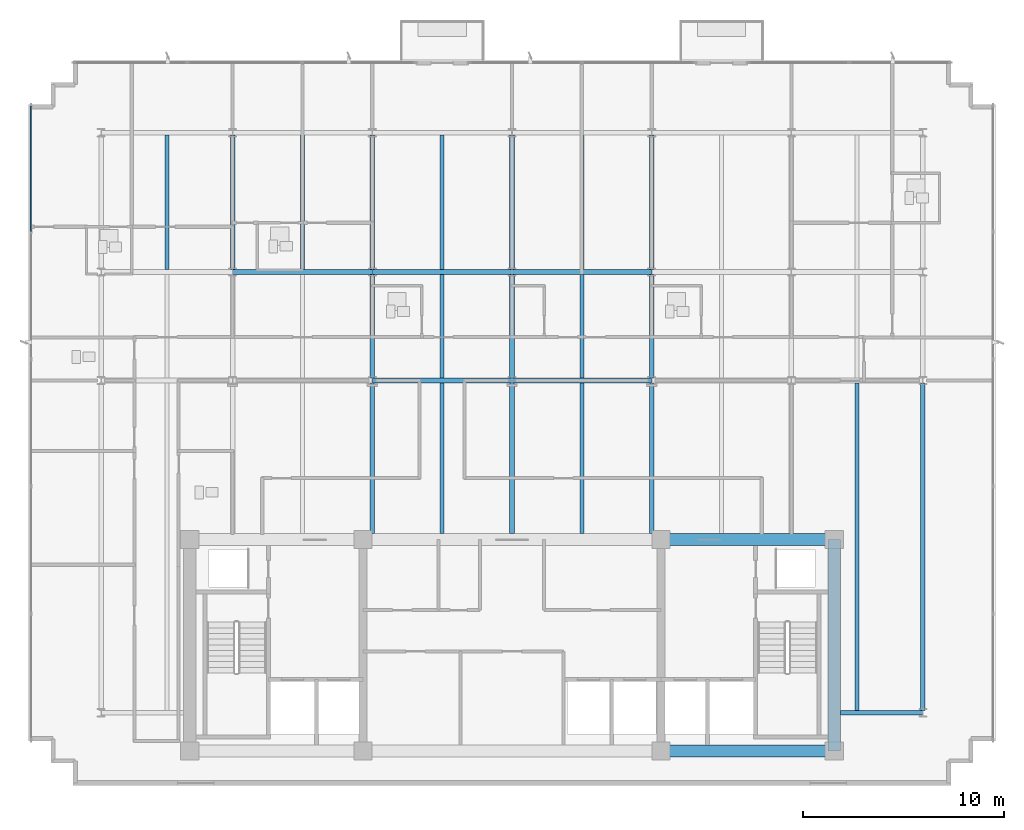
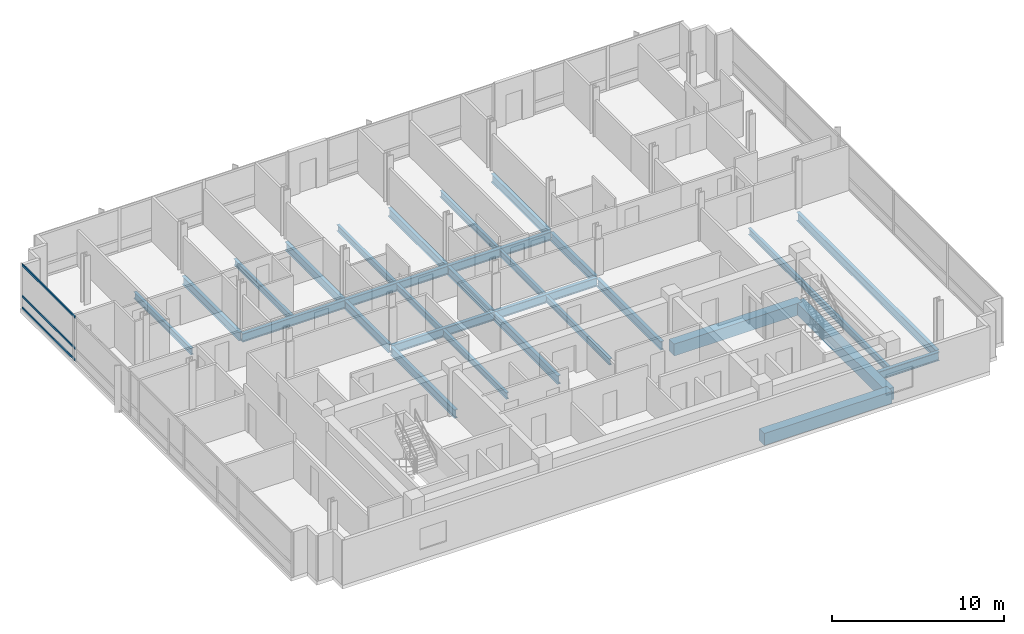
# One storey, part 3 of 14: 29 beams, 3 members, 1 element without a shape of its own.
"""IFC4 building model written with IfcOpenShell, lengths in metres."""

from ifc_helpers import new_model, si_unit, direction, frame, origin, origin_2d, place, context, subcontext, project, spatial, rectangle, i_section, extrude, material, material_profile, profile_set, type_object, element, aggregate, save


model = new_model("IFC4")

# Units and contexts
model_context = context("Model", 3, precision=1e-05, world=origin(), true_north=direction((0.0, 1.0)))
body_context = subcontext(model_context, "Body", "Model", "MODEL_VIEW")
ifc_project = project(units=[si_unit("LENGTHUNIT", "METRE"), si_unit("AREAUNIT", "SQUARE_METRE"), si_unit("VOLUMEUNIT", "CUBIC_METRE"), si_unit("PLANEANGLEUNIT", "RADIAN"), si_unit("MASSUNIT", "GRAM", prefix="KILO")], contexts=[model_context])

# Site, building, storey
site_placement = place(None, origin())
site = spatial("IfcSite", under=ifc_project, at=site_placement, CompositionType="ELEMENT")
building_placement = place(site_placement, origin())
building = spatial("IfcBuilding", under=site, at=building_placement, Name="Solmavex Isthmus Hotel", CompositionType="ELEMENT")
storey_placement = place(building_placement, frame((0.0, 0.0, 248.85009765625)))
storey = spatial("IfcBuildingStorey", under=building, at=storey_placement, Name="L67", CompositionType="ELEMENT", Elevation=248.85009765625)

# Beams
ifc_material_1 = material(Name="Steel ASTM A992 Grade 50", Category="steel")
ifc_material_profile_1 = material_profile(ifc_material_1, i_section(OverallWidth=0.1904296875, OverallDepth=0.456787109375, WebThickness=0.009033203125, FlangeThickness=0.014404296875, FilletRadius=0.0126953125, at=origin_2d()), Name="W18X50")
ifc_profile_set_1 = profile_set([ifc_material_profile_1], Name="Steel ASTM A992 Grade 50")
beam_type_1 = type_object("IfcBeamType", Name="BM-BJ-W18X50", PredefinedType="JOIST", material=ifc_profile_set_1)
for number, where, z_axis, x_axis, name in (
    (1, (-17.135986328125, 10.90185546875, -0.488525390625), (0.0, 1.0, 0.0), (-1.0, 0.0, 0.0), "Secondary Floor Joist L67-J03"),
    (2, (-10.404052734375, 10.90185546875, -0.488525390625), (0.0, 1.0, 0.0), (-1.0, 0.0, 0.0), "Secondary Floor Joist L67-J06"),
):
    element("IfcBeam", number, at=place(storey_placement, frame(where, z_axis=z_axis, x_axis=x_axis)), inside=storey, type_object=beam_type_1, Name=name, PredefinedType="JOIST", context=body_context, shape_type="SweptSolid", body=[
        extrude(i_section(OverallWidth=0.1904296875, OverallDepth=0.456787109375, WebThickness=0.009033203125, FlangeThickness=0.014404296875, FilletRadius=0.0126953125, at=origin_2d()), origin(), (0.0, 0.0, 1.0), 6.682861328125),
    ])
beam_1_placement = place(storey_placement, frame((-3.468017578125, -2.199951171875, -0.488525390625), z_axis=(0.0, 1.0, 0.0), x_axis=(-1.0, 0.0, 0.0)))
element("IfcBeam", 3, at=beam_1_placement, inside=storey, type_object=beam_type_1, Name="Secondary Floor Joist L67-J07", PredefinedType="JOIST", context=body_context, shape_type="SweptSolid", body=[
    extrude(i_section(OverallWidth=0.1904296875, OverallDepth=0.456787109375, WebThickness=0.009033203125, FlangeThickness=0.014404296875, FilletRadius=0.0126953125, at=origin_2d()), origin(), (0.0, 0.0, 1.0), 7.486083984375),
])
beam_2_placement = place(storey_placement, frame((-3.468017578125, 5.513916015625, -0.488525390625), z_axis=(0.0, 1.0, 0.0), x_axis=(-1.0, 0.0, 0.0)))
element("IfcBeam", 4, at=beam_2_placement, inside=storey, type_object=beam_type_1, Name="Secondary Floor Joist L67-J08", PredefinedType="JOIST", context=body_context, shape_type="SweptSolid", body=[
    extrude(i_section(OverallWidth=0.1904296875, OverallDepth=0.456787109375, WebThickness=0.009033203125, FlangeThickness=0.014404296875, FilletRadius=0.0126953125, at=origin_2d()), origin(), (0.0, 0.0, 1.0), 5.16015625),
])
beam_3_placement = place(storey_placement, frame((-3.468017578125, 10.90185546875, -0.488525390625), z_axis=(0.0, 1.0, 0.0), x_axis=(-1.0, 0.0, 0.0)))
element("IfcBeam", 5, at=beam_3_placement, inside=storey, type_object=beam_type_1, Name="Secondary Floor Joist L67-J09", PredefinedType="JOIST", context=body_context, shape_type="SweptSolid", body=[
    extrude(i_section(OverallWidth=0.1904296875, OverallDepth=0.456787109375, WebThickness=0.009033203125, FlangeThickness=0.014404296875, FilletRadius=0.0126953125, at=origin_2d()), origin(), (0.0, 0.0, 1.0), 6.682861328125),
])
beam_4_placement = place(storey_placement, frame((3.468017578125, -2.199951171875, -0.488525390625), z_axis=(0.0, 1.0, 0.0), x_axis=(-1.0, 0.0, 0.0)))
element("IfcBeam", 6, at=beam_4_placement, inside=storey, type_object=beam_type_1, Name="Secondary Floor Joist L67-J10", PredefinedType="JOIST", context=body_context, shape_type="SweptSolid", body=[
    extrude(i_section(OverallWidth=0.1904296875, OverallDepth=0.456787109375, WebThickness=0.009033203125, FlangeThickness=0.014404296875, FilletRadius=0.0126953125, at=origin_2d()), origin(), (0.0, 0.0, 1.0), 7.486083984375),
])
beam_5_placement = place(storey_placement, frame((3.468017578125, 5.513916015625, -0.488525390625), z_axis=(0.0, 1.0, 0.0), x_axis=(-1.0, 0.0, 0.0)))
element("IfcBeam", 7, at=beam_5_placement, inside=storey, type_object=beam_type_1, Name="Secondary Floor Joist L67-J11", PredefinedType="JOIST", context=body_context, shape_type="SweptSolid", body=[
    extrude(i_section(OverallWidth=0.1904296875, OverallDepth=0.456787109375, WebThickness=0.009033203125, FlangeThickness=0.014404296875, FilletRadius=0.0126953125, at=origin_2d()), origin(), (0.0, 0.0, 1.0), 5.16015625),
])
beam_6_placement = place(storey_placement, frame((3.468017578125, 10.90185546875, -0.488525390625), z_axis=(0.0, 1.0, 0.0), x_axis=(-1.0, 0.0, 0.0)))
element("IfcBeam", 8, at=beam_6_placement, inside=storey, type_object=beam_type_1, Name="Secondary Floor Joist L67-J12", PredefinedType="JOIST", context=body_context, shape_type="SweptSolid", body=[
    extrude(i_section(OverallWidth=0.1904296875, OverallDepth=0.456787109375, WebThickness=0.009033203125, FlangeThickness=0.014404296875, FilletRadius=0.0126953125, at=origin_2d()), origin(), (0.0, 0.0, 1.0), 6.682861328125),
])
beam_7_placement = place(storey_placement, frame((17.135986328125, -10.98486328125, -0.488525390625), z_axis=(0.0, 1.0, 0.0), x_axis=(-1.0, 0.0, 0.0)))
element("IfcBeam", 9, at=beam_7_placement, inside=storey, type_object=beam_type_1, Name="Secondary Floor Joist L67-J16", PredefinedType="JOIST", context=body_context, shape_type="SweptSolid", body=[
    extrude(i_section(OverallWidth=0.1904296875, OverallDepth=0.456787109375, WebThickness=0.009033203125, FlangeThickness=0.014404296875, FilletRadius=0.0126953125, at=origin_2d()), origin(), (0.0, 0.0, 1.0), 16.27099609375),
])
ifc_material_profile_2 = material_profile(ifc_material_1, i_section(OverallWidth=0.227783203125, OverallDepth=0.602783203125, WebThickness=0.010498046875, FlangeThickness=0.014892578125, FilletRadius=0.01513671875, at=origin_2d()), Name="W24X68")
ifc_profile_set_2 = profile_set([ifc_material_profile_2], Name="Steel ASTM A992 Grade 50")
beam_type_2 = type_object("IfcBeamType", Name="BM-BM-W24X68", PredefinedType="BEAM", material=ifc_profile_set_2)
for number, where, z_axis, x_axis, name in (
    (10, (-6.93603515625, 5.39990234375, -0.5615234375), (1.0, 0.0, 0.0), (0.0, 1.0, 0.0), "Floor Girder L67-UG05"),
    (11, (0.0, 5.39990234375, -0.5615234375), (1.0, 0.0, 0.0), (0.0, 1.0, 0.0), "Floor Girder L67-UG06"),
    (12, (-13.8720703125, 10.7880859375, -0.5615234375), (1.0, 0.0, 0.0), (0.0, 1.0, 0.0), "Floor Girder L67-UG10"),
    (13, (-6.93603515625, 10.7880859375, -0.5615234375), (1.0, 0.0, 0.0), (0.0, 1.0, 0.0), "Floor Girder L67-UG11"),
    (14, (0.0, 10.7880859375, -0.5615234375), (1.0, 0.0, 0.0), (0.0, 1.0, 0.0), "Floor Girder L67-UG12"),
):
    element("IfcBeam", number, at=place(storey_placement, frame(where, z_axis=z_axis, x_axis=x_axis)), inside=storey, type_object=beam_type_2, Name=name, PredefinedType="BEAM", context=body_context, shape_type="SweptSolid", body=[
        extrude(i_section(OverallWidth=0.227783203125, OverallDepth=0.602783203125, WebThickness=0.010498046875, FlangeThickness=0.014892578125, FilletRadius=0.01513671875, at=origin_2d()), origin(), (0.0, 0.0, 1.0), 6.93603515625),
    ])
beam_8_placement = place(storey_placement, frame((-13.8720703125, 10.90185546875, -0.5615234375), z_axis=(0.0, 1.0, 0.0), x_axis=(-1.0, 0.0, 0.0)))
element("IfcBeam", 15, at=beam_8_placement, inside=storey, type_object=beam_type_2, Name="Floor Beam L67-VG26", PredefinedType="BEAM", context=body_context, shape_type="SweptSolid", body=[
    extrude(i_section(OverallWidth=0.227783203125, OverallDepth=0.602783203125, WebThickness=0.010498046875, FlangeThickness=0.014892578125, FilletRadius=0.01513671875, at=origin_2d()), origin(), (0.0, 0.0, 1.0), 6.682861328125),
])
beam_9_placement = place(storey_placement, frame((-6.93603515625, -2.199951171875, -0.5615234375), z_axis=(0.0, 1.0, 0.0), x_axis=(-1.0, 0.0, 0.0)))
element("IfcBeam", 16, at=beam_9_placement, inside=storey, type_object=beam_type_2, Name="Floor Beam L67-VG27", PredefinedType="BEAM", context=body_context, shape_type="SweptSolid", body=[
    extrude(i_section(OverallWidth=0.227783203125, OverallDepth=0.602783203125, WebThickness=0.010498046875, FlangeThickness=0.014892578125, FilletRadius=0.01513671875, at=origin_2d()), origin(), (0.0, 0.0, 1.0), 7.486083984375),
])
beam_10_placement = place(storey_placement, frame((-6.93603515625, 5.513916015625, -0.5615234375), z_axis=(0.0, 1.0, 0.0), x_axis=(-1.0, 0.0, 0.0)))
element("IfcBeam", 17, at=beam_10_placement, inside=storey, type_object=beam_type_2, Name="Floor Beam L67-VG28", PredefinedType="BEAM", context=body_context, shape_type="SweptSolid", body=[
    extrude(i_section(OverallWidth=0.227783203125, OverallDepth=0.602783203125, WebThickness=0.010498046875, FlangeThickness=0.014892578125, FilletRadius=0.01513671875, at=origin_2d()), origin(), (0.0, 0.0, 1.0), 5.16015625),
])
beam_11_placement = place(storey_placement, frame((-6.93603515625, 10.90185546875, -0.5615234375), z_axis=(0.0, 1.0, 0.0), x_axis=(-1.0, 0.0, 0.0)))
element("IfcBeam", 18, at=beam_11_placement, inside=storey, type_object=beam_type_2, Name="Floor Beam L67-VG29", PredefinedType="BEAM", context=body_context, shape_type="SweptSolid", body=[
    extrude(i_section(OverallWidth=0.227783203125, OverallDepth=0.602783203125, WebThickness=0.010498046875, FlangeThickness=0.014892578125, FilletRadius=0.01513671875, at=origin_2d()), origin(), (0.0, 0.0, 1.0), 6.682861328125),
])
beam_12_placement = place(storey_placement, frame((0.0, -2.199951171875, -0.5615234375), z_axis=(0.0, 1.0, 0.0), x_axis=(-1.0, 0.0, 0.0)))
element("IfcBeam", 19, at=beam_12_placement, inside=storey, type_object=beam_type_2, Name="Floor Beam L67-VG30", PredefinedType="BEAM", context=body_context, shape_type="SweptSolid", body=[
    extrude(i_section(OverallWidth=0.227783203125, OverallDepth=0.602783203125, WebThickness=0.010498046875, FlangeThickness=0.014892578125, FilletRadius=0.01513671875, at=origin_2d()), origin(), (0.0, 0.0, 1.0), 7.486083984375),
])
beam_13_placement = place(storey_placement, frame((0.0, 5.513916015625, -0.5615234375), z_axis=(0.0, 1.0, 0.0), x_axis=(-1.0, 0.0, 0.0)))
element("IfcBeam", 20, at=beam_13_placement, inside=storey, type_object=beam_type_2, Name="Floor Beam L67-VG31", PredefinedType="BEAM", context=body_context, shape_type="SweptSolid", body=[
    extrude(i_section(OverallWidth=0.227783203125, OverallDepth=0.602783203125, WebThickness=0.010498046875, FlangeThickness=0.014892578125, FilletRadius=0.01513671875, at=origin_2d()), origin(), (0.0, 0.0, 1.0), 5.16015625),
])
beam_14_placement = place(storey_placement, frame((0.0, 10.90185546875, -0.5615234375), z_axis=(0.0, 1.0, 0.0), x_axis=(-1.0, 0.0, 0.0)))
element("IfcBeam", 21, at=beam_14_placement, inside=storey, type_object=beam_type_2, Name="Floor Beam L67-VG32", PredefinedType="BEAM", context=body_context, shape_type="SweptSolid", body=[
    extrude(i_section(OverallWidth=0.227783203125, OverallDepth=0.602783203125, WebThickness=0.010498046875, FlangeThickness=0.014892578125, FilletRadius=0.01513671875, at=origin_2d()), origin(), (0.0, 0.0, 1.0), 6.682861328125),
])
beam_15_placement = place(storey_placement, frame((6.93603515625, -2.199951171875, -0.5615234375), z_axis=(0.0, 1.0, 0.0), x_axis=(-1.0, 0.0, 0.0)))
element("IfcBeam", 22, at=beam_15_placement, inside=storey, type_object=beam_type_2, Name="Floor Beam L67-VG33", PredefinedType="BEAM", context=body_context, shape_type="SweptSolid", body=[
    extrude(i_section(OverallWidth=0.227783203125, OverallDepth=0.602783203125, WebThickness=0.010498046875, FlangeThickness=0.014892578125, FilletRadius=0.01513671875, at=origin_2d()), origin(), (0.0, 0.0, 1.0), 7.486083984375),
])
beam_16_placement = place(storey_placement, frame((6.93603515625, 5.513916015625, -0.5615234375), z_axis=(0.0, 1.0, 0.0), x_axis=(-1.0, 0.0, 0.0)))
element("IfcBeam", 23, at=beam_16_placement, inside=storey, type_object=beam_type_2, Name="Floor Beam L67-VG34", PredefinedType="BEAM", context=body_context, shape_type="SweptSolid", body=[
    extrude(i_section(OverallWidth=0.227783203125, OverallDepth=0.602783203125, WebThickness=0.010498046875, FlangeThickness=0.014892578125, FilletRadius=0.01513671875, at=origin_2d()), origin(), (0.0, 0.0, 1.0), 5.16015625),
])
beam_17_placement = place(storey_placement, frame((6.93603515625, 10.90185546875, -0.5615234375), z_axis=(0.0, 1.0, 0.0), x_axis=(-1.0, 0.0, 0.0)))
element("IfcBeam", 24, at=beam_17_placement, inside=storey, type_object=beam_type_2, Name="Floor Beam L67-VG35", PredefinedType="BEAM", context=body_context, shape_type="SweptSolid", body=[
    extrude(i_section(OverallWidth=0.227783203125, OverallDepth=0.602783203125, WebThickness=0.010498046875, FlangeThickness=0.014892578125, FilletRadius=0.01513671875, at=origin_2d()), origin(), (0.0, 0.0, 1.0), 6.682861328125),
])
ifc_material_2 = material(Name="Concrete C50/60", Category="concrete")
ifc_material_profile_3 = material_profile(ifc_material_2, rectangle(XDim=0.60009765625, YDim=0.85009765625, at=origin_2d()), Name="RC600X850")
ifc_profile_set_3 = profile_set([ifc_material_profile_3], Name="Concrete C50/60")
beam_type_3 = type_object("IfcBeamType", Name="BM-CB-600X850", PredefinedType="BEAM", material=ifc_profile_set_3)
for number, where, z_axis, x_axis, name in (
    (25, (7.39990234375, -13.0, -0.68505859375), (1.0, 0.0, 0.0), (0.0, 1.0, 0.0), "Core Coupling Beam L67-CB3"),
    (26, (7.39990234375, -2.5, -0.68505859375), (1.0, 0.0, 0.0), (0.0, 1.0, 0.0), "Core Coupling Beam L67-CB6"),
):
    element("IfcBeam", number, at=place(storey_placement, frame(where, z_axis=z_axis, x_axis=x_axis)), inside=storey, type_object=beam_type_3, Name=name, PredefinedType="BEAM", context=body_context, shape_type="SweptSolid", body=[
        extrude(rectangle(XDim=0.60009765625, YDim=0.85009765625, at=origin_2d()), origin(), (0.0, 0.0, 1.0), 8.60009765625),
    ])
beam_18_placement = place(storey_placement, frame((16.0, -13.0, -0.68505859375), z_axis=(0.0, 1.0, 0.0), x_axis=(-1.0, 0.0, 0.0)))
element("IfcBeam", 27, at=beam_18_placement, inside=storey, type_object=beam_type_3, Name="Core Coupling Beam L67-CB8", PredefinedType="BEAM", context=body_context, shape_type="SweptSolid", body=[
    extrude(rectangle(XDim=0.60009765625, YDim=0.85009765625, at=origin_2d()), origin(), (0.0, 0.0, 1.0), 10.5),
])
ifc_material_profile_4 = material_profile(ifc_material_1, i_section(OverallWidth=0.230224609375, OverallDepth=0.617431640625, WebThickness=0.01318359375, FlangeThickness=0.022216796875, FilletRadius=0.01513671875, at=origin_2d()), Name="W24X94")
ifc_profile_set_4 = profile_set([ifc_material_profile_4], Name="Steel ASTM A992 Grade 50")
beam_type_4 = type_object("IfcBeamType", Name="BM-SP-W24X94", PredefinedType="SPANDREL", material=ifc_profile_set_4)
beam_19_placement = place(storey_placement, frame((16.300048828125, -11.10009765625, -0.56884765625), z_axis=(1.0, 0.0, 0.0), x_axis=(0.0, 1.0, 0.0)))
element("IfcBeam", 28, at=beam_19_placement, inside=storey, type_object=beam_type_4, Name="Floor Girder L67-UG02", PredefinedType="SPANDREL", context=body_context, shape_type="SweptSolid", body=[
    extrude(i_section(OverallWidth=0.230224609375, OverallDepth=0.617431640625, WebThickness=0.01318359375, FlangeThickness=0.022216796875, FilletRadius=0.01513671875, at=origin_2d()), origin(), (0.0, 0.0, 1.0), 4.099853515625),
])
beam_20_placement = place(storey_placement, frame((20.39990234375, -10.98486328125, -0.56884765625), z_axis=(0.0, 1.0, 0.0), x_axis=(-1.0, 0.0, 0.0)))
element("IfcBeam", 29, at=beam_20_placement, inside=storey, type_object=beam_type_4, Name="Floor Beam L67-VG39", PredefinedType="SPANDREL", context=body_context, shape_type="SweptSolid", body=[
    extrude(i_section(OverallWidth=0.230224609375, OverallDepth=0.617431640625, WebThickness=0.01318359375, FlangeThickness=0.022216796875, FilletRadius=0.01513671875, at=origin_2d()), origin(), (0.0, 0.0, 1.0), 16.27099609375),
])

# Curtain wall, members
ifc_material_3 = material(Name="Aluminium alloy 6063-T6", Category="aluminium")
curtain_wall_type = type_object("IfcCurtainWallType", Name="CW-SYS-04", PredefinedType="NOTDEFINED", material=ifc_material_3)
curtain_wall_placement = place(storey_placement, origin())
curtain_wall = element("IfcCurtainWall", 30, at=curtain_wall_placement, inside=storey, type_object=curtain_wall_type, Name="Stick Curtain Wall CWL-L67-W1", PredefinedType="NOTDEFINED")
ifc_material_profile_5 = material_profile(ifc_material_3, rectangle(XDim=0.074951171875, YDim=0.14990234375, at=origin_2d()), Name="CWT-75X150")
ifc_profile_set_5 = profile_set([ifc_material_profile_5], Name="Aluminium alloy 6063-T6")
member_type = type_object("IfcMemberType", Name="CW-SYS-04-TRN", PredefinedType="USERDEFINED", material=ifc_profile_set_5)
member_1_placement = place(storey_placement, frame((-23.8798828125, 12.8173828125, 0.074951171875), z_axis=(0.0, 1.0, 0.0), x_axis=(-1.0, 0.0, 0.0)))
member_1 = element("IfcMember", 31, at=member_1_placement, type_object=member_type, Name="CW-04 transom 5.1", ObjectType="TRANSOM", PredefinedType="USERDEFINED", context=body_context, shape_type="SweptSolid", body=[
    extrude(rectangle(XDim=0.074951171875, YDim=0.14990234375, at=origin_2d()), origin(), (0.0, 0.0, 1.0), 6.20751953125),
])
member_2_placement = place(storey_placement, frame((-23.8798828125, 12.8173828125, 0.89990234375), z_axis=(0.0, 1.0, 0.0), x_axis=(-1.0, 0.0, 0.0)))
member_2 = element("IfcMember", 32, at=member_2_placement, type_object=member_type, Name="CW-04 transom 5.2", ObjectType="TRANSOM", PredefinedType="USERDEFINED", context=body_context, shape_type="SweptSolid", body=[
    extrude(rectangle(XDim=0.074951171875, YDim=0.14990234375, at=origin_2d()), origin(), (0.0, 0.0, 1.0), 6.20751953125),
])
member_3_placement = place(storey_placement, frame((-23.8798828125, 12.8173828125, 3.114990234375), z_axis=(0.0, 1.0, 0.0), x_axis=(-1.0, 0.0, 0.0)))
member_3 = element("IfcMember", 33, at=member_3_placement, type_object=member_type, Name="CW-04 transom 5.3", ObjectType="TRANSOM", PredefinedType="USERDEFINED", context=body_context, shape_type="SweptSolid", body=[
    extrude(rectangle(XDim=0.074951171875, YDim=0.14990234375, at=origin_2d()), origin(), (0.0, 0.0, 1.0), 6.20751953125),
])
aggregate(curtain_wall, [member_1, member_2, member_3])

save(model, "model.ifc")
